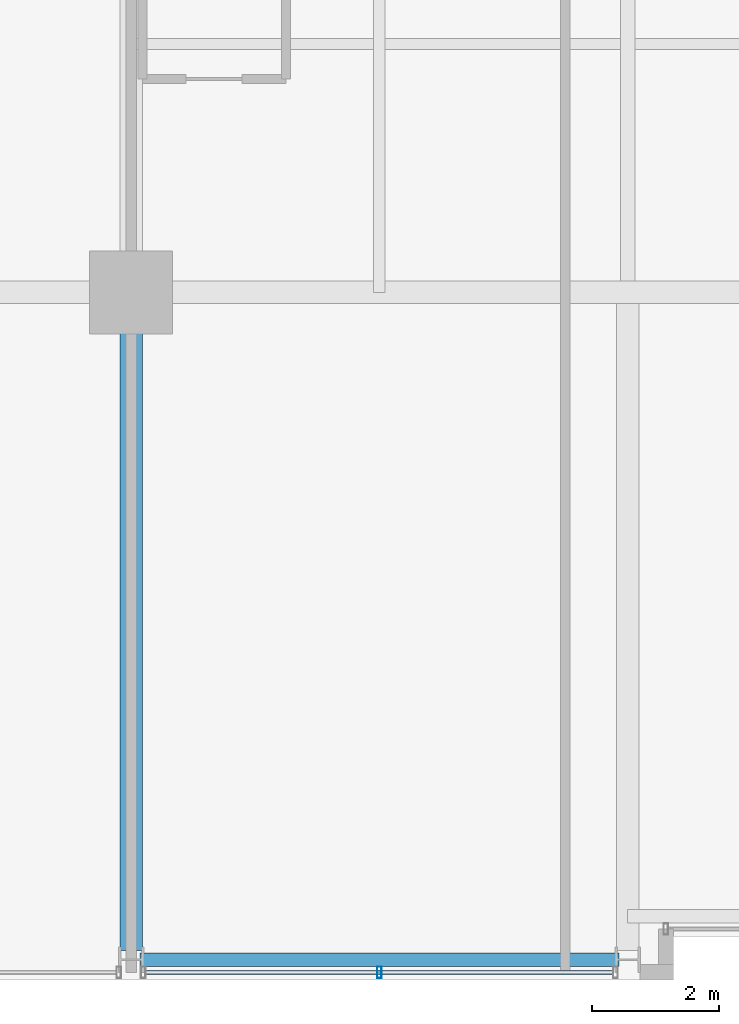
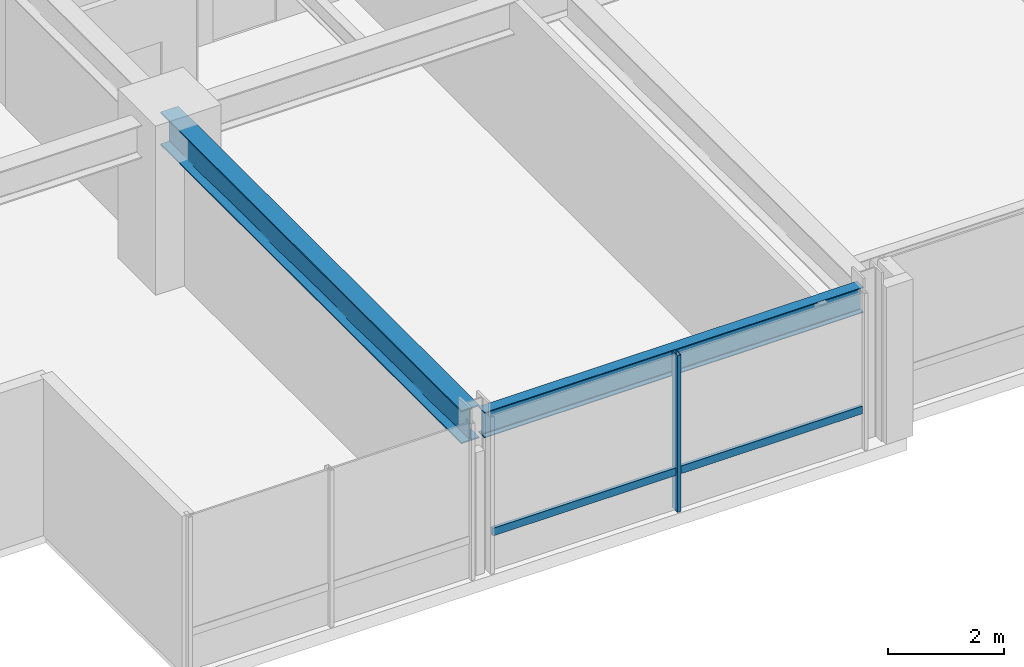
# One storey, part 3 of 32: 2 beams, 2 members, 1 element without a shape of its own.
"""IFC4 building model written with IfcOpenShell, lengths in metres."""

import ifcopenshell
import ifcopenshell.guid

model = None  # the IFC model being written
_history = None  # IfcOwnerHistory: only IFC2X3 demands one
_inside = {}  # id of a spatial element -> (the spatial element, [elements in it])
_under = {}  # id of a project, library or spatial element -> (it, [spatial elements below it])
_declared = {}  # id of a project -> (the project, [libraries it declares])
_typed = {}  # id of a type object -> (the type object, [elements of that type])
_made_of = {}  # id of a material, layer set ... -> (it, [elements and type objects made of it])


def new_model(schema):
    """Start an empty IFC model of exactly this schema.

    Asked for "IFC4X3", IfcOpenShell would pick the latest addendum, in which some entities
    have other attributes; the version numbers below select the first issue.
    IFC2X3 requires an IfcOwnerHistory on every rooted entity: one is made here for all.
    """
    global model, _history
    if schema == "IFC4X3":
        model = ifcopenshell.file(schema_version=(4, 3, 0, 0))
    else:
        model = ifcopenshell.file(schema=schema)
    _inside.clear()
    _under.clear()
    _declared.clear()
    _typed.clear()
    _made_of.clear()
    _history = None
    if model.schema == "IFC2X3":
        org = make("IfcOrganization", Name="unknown")
        user = make(
            "IfcPersonAndOrganization",
            ThePerson=make("IfcPerson", FamilyName="unknown"),
            TheOrganization=org,
        )
        app = make(
            "IfcApplication",
            ApplicationDeveloper=org,
            Version="unknown",
            ApplicationFullName="unknown",
            ApplicationIdentifier="unknown",
        )
        _history = make(
            "IfcOwnerHistory",
            OwningUser=user,
            OwningApplication=app,
            ChangeAction="ADDED",
            CreationDate=0,
        )
    return model


def make(cls, **values):
    """One entity of the class cls with the attributes given. An attribute that is None is left unset."""
    return model.create_entity(
        cls, **{name: value for name, value in values.items() if value is not None}
    )


def rooted(cls, **values):
    """An entity with a GlobalId (a new one), such as an element, a storey or a relation."""
    return make(cls, GlobalId=ifcopenshell.guid.new(), OwnerHistory=_history, **values)


def si_unit(unit_type, name, prefix=None):
    """IfcSIUnit, for example si_unit("LENGTHUNIT", "METRE", prefix="MILLI")."""
    return make("IfcSIUnit", UnitType=unit_type, Prefix=prefix, Name=name)


def assignment(units):
    """IfcUnitAssignment: the units of a project."""
    return None if units is None else make("IfcUnitAssignment", Units=units)


def point(xyz):
    """IfcCartesianPoint."""
    return None if xyz is None else make("IfcCartesianPoint", Coordinates=xyz)


def direction(xyz):
    """IfcDirection."""
    return None if xyz is None else make("IfcDirection", DirectionRatios=xyz)


def frame(location, z_axis=None, x_axis=None):
    """IfcAxis2Placement3D, a coordinate frame: its origin and axes. An axis left out is left unset."""
    return make(
        "IfcAxis2Placement3D",
        Location=point(location),
        Axis=direction(z_axis),
        RefDirection=direction(x_axis),
    )


def frame_2d(location, x_axis=None):
    """IfcAxis2Placement2D, a coordinate frame in the plane: its origin and x axis."""
    return make(
        "IfcAxis2Placement2D", Location=point(location), RefDirection=direction(x_axis)
    )


def origin():
    """The frame at (0, 0, 0) with its axes left unset."""
    return frame((0.0, 0.0, 0.0))


def origin_2d():
    """The frame at (0, 0) in the plane with its x axis left unset."""
    return frame_2d((0.0, 0.0))


def place(relative_to, where):
    """IfcLocalPlacement: puts the frame where relative to a parent placement (None: the world)."""
    return make(
        "IfcLocalPlacement", PlacementRelTo=relative_to, RelativePlacement=where
    )


def context(
    kind, dimensions, precision=None, world=None, true_north=None, identifier=None
):
    """IfcGeometricRepresentationContext, for example the 3D "Model" context."""
    return make(
        "IfcGeometricRepresentationContext",
        ContextIdentifier=identifier,
        ContextType=kind,
        CoordinateSpaceDimension=dimensions,
        Precision=precision,
        WorldCoordinateSystem=world,
        TrueNorth=true_north,
    )


def subcontext(parent, identifier, kind, view, scale=None):
    """IfcGeometricRepresentationSubContext, for example "Body" below "Model"."""
    return make(
        "IfcGeometricRepresentationSubContext",
        ContextIdentifier=identifier,
        ContextType=kind,
        ParentContext=parent,
        TargetScale=scale,
        TargetView=view,
    )


def project(units=None, contexts=None):
    """IfcProject with its units and contexts."""
    return rooted(
        "IfcProject",
        Name="project",
        RepresentationContexts=contexts,
        UnitsInContext=assignment(units),
    )


def spatial(cls, under=None, at=None, **own):
    """A site, building, storey or space (cls), placed at a placement, below another one or the project."""
    s = rooted(cls, ObjectPlacement=at, **own)
    if under is not None:
        _under.setdefault(under.id(), (under, []))[1].append(s)
    return s


def profile(cls, at=None, kind="AREA", **sizes):
    """A parametric profile (cls). Its sizes go by their IFC names, for example OverallWidth=200.0."""
    return make(cls, ProfileType=kind, Position=at, **sizes)


def hollow_rectangle(**sizes):
    """IfcRectangleHollowProfileDef."""
    return profile("IfcRectangleHollowProfileDef", **sizes)


def i_section(**sizes):
    """IfcIShapeProfileDef."""
    return profile("IfcIShapeProfileDef", **sizes)


def extrude(swept, where, along, depth):
    """IfcExtrudedAreaSolid: the profile swept, set in the frame where, extruded along a direction by depth."""
    return make(
        "IfcExtrudedAreaSolid",
        SweptArea=swept,
        Position=where,
        ExtrudedDirection=direction(along),
        Depth=depth,
    )


def shape(context_of_items, identifier, shape_type, items):
    """IfcShapeRepresentation: the items that make up one representation, for example the "Body"."""
    return make(
        "IfcShapeRepresentation",
        ContextOfItems=context_of_items,
        RepresentationIdentifier=identifier,
        RepresentationType=shape_type,
        Items=items,
    )


def material(Name=None, Category=None):
    """IfcMaterial."""
    return make("IfcMaterial", Name=Name, Category=Category)


def layer(
    of_material, thickness, ventilated=None, Name=None, Category=None, Priority=None
):
    """IfcMaterialLayer: one layer of a wall or slab, of a material (None: an air gap)."""
    return make(
        "IfcMaterialLayer",
        Material=of_material,
        LayerThickness=thickness,
        IsVentilated=ventilated,
        Name=Name,
        Category=Category,
        Priority=Priority,
    )


def layer_set(layers, Name=None):
    """IfcMaterialLayerSet."""
    return make("IfcMaterialLayerSet", MaterialLayers=layers, LayerSetName=Name)


def material_profile(
    of_material, cross_section, Name=None, Category=None, Priority=None
):
    """IfcMaterialProfile: a cross section and its material."""
    return make(
        "IfcMaterialProfile",
        Name=Name,
        Material=of_material,
        Profile=cross_section,
        Priority=Priority,
        Category=Category,
    )


def profile_set(profiles, Name=None, composite=None):
    """IfcMaterialProfileSet."""
    return make(
        "IfcMaterialProfileSet",
        Name=Name,
        MaterialProfiles=profiles,
        CompositeProfile=composite,
    )


def made_of(thing, what):
    """Note that an element or type object is made of a material, layer set ...; save() writes the relation."""
    if what is not None:
        _made_of.setdefault(what.id(), (what, []))[1].append(thing)
    return thing


def type_object(cls, material=None, **own):
    """A type object (cls), such as IfcWallType, which elements share."""
    return made_of(rooted(cls, **own), material)


def element(
    cls,
    number,
    at=None,
    inside=None,
    cuts=None,
    type_object=None,
    material=None,
    context=None,
    identifier="Body",
    shape_type=None,
    held_by="IfcProductDefinitionShape",
    body=None,
    shapes=None,
    **own,
):
    """One element of the class cls, such as IfcWall. Its Tag is "e" and its number.

    at: its placement. inside: the storey or other place that contains it. cuts: it is an
    opening in that element (IfcRelVoidsElement). A single representation is given by context,
    identifier, shape_type and body (its items); several are given by shapes. held_by: the class
    of the entity that holds the representations. save() writes the other relations.
    """
    e = rooted(cls, Tag="e%d" % number, ObjectPlacement=at, **own)
    if body is not None:
        shapes = [shape(context, identifier, shape_type, body)]
    if shapes is not None:
        e.Representation = make(held_by, Representations=shapes)
    if inside is not None:
        _inside.setdefault(inside.id(), (inside, []))[1].append(e)
    if cuts is not None:
        rooted(
            "IfcRelVoidsElement", RelatingBuildingElement=cuts, RelatedOpeningElement=e
        )
    if type_object is not None:
        _typed.setdefault(type_object.id(), (type_object, []))[1].append(e)
    return made_of(e, material)


def aggregate(whole, parts):
    """IfcRelAggregates: a whole, such as a stair, and the parts it consists of."""
    return rooted("IfcRelAggregates", RelatingObject=whole, RelatedObjects=parts)


def save(model, path):
    """Write the relations noted so far, then the file.

    IfcRelAggregates (storeys below a building ...), IfcRelContainedInSpatialStructure (elements
    in a storey), IfcRelDefinesByType, IfcRelAssociatesMaterial and IfcRelDeclares: one each for
    every whole, place, type object, material and project.
    """
    for whole, parts in _under.values():
        aggregate(whole, parts)
    for where, things in _inside.values():
        rooted(
            "IfcRelContainedInSpatialStructure",
            RelatedElements=things,
            RelatingStructure=where,
        )
    for kind, things in _typed.values():
        rooted("IfcRelDefinesByType", RelatedObjects=things, RelatingType=kind)
    for what, things in _made_of.values():
        rooted("IfcRelAssociatesMaterial", RelatedObjects=things, RelatingMaterial=what)
    for by, libraries in _declared.values():
        rooted("IfcRelDeclares", RelatingContext=by, RelatedDefinitions=libraries)
    model.write(path)


model = new_model("IFC4")

# Units and contexts
model_context = context("Model", 3, precision=1e-05, world=origin(), true_north=direction((0.0, 1.0)))
body_context = subcontext(model_context, "Body", "Model", "MODEL_VIEW")
ifc_project = project(units=[si_unit("LENGTHUNIT", "METRE"), si_unit("AREAUNIT", "SQUARE_METRE"), si_unit("VOLUMEUNIT", "CUBIC_METRE"), si_unit("PLANEANGLEUNIT", "RADIAN"), si_unit("MASSUNIT", "GRAM", prefix="KILO")], contexts=[model_context])

# Site, building, storey
site_placement = place(None, origin())
site = spatial("IfcSite", under=ifc_project, at=site_placement, CompositionType="ELEMENT")
building_placement = place(site_placement, origin())
building = spatial("IfcBuilding", under=site, at=building_placement, Name="Drelvath Grand Hotel", CompositionType="ELEMENT")
storey_placement = place(building_placement, frame((0.0, 0.0, 182.35009765625)))
storey = spatial("IfcBuildingStorey", under=building, at=storey_placement, Name="L47", CompositionType="ELEMENT", Elevation=182.35009765625)

# Curtain wall, members
ifc_material_1 = material(Name="Brushed Pale-Silver Anodised Aluminium Frame", Category="aluminium")
ifc_layer = layer(ifc_material_1, 0.199951171875)
ifc_layer_set = layer_set([ifc_layer], Name="Brushed Pale-Silver Anodised Aluminium Frame")
curtain_wall_type = type_object("IfcCurtainWallType", Name="Stick Curtain Wall CW-04 Brushed Silver Upper-Mid", PredefinedType="NOTDEFINED", material=ifc_layer_set)
curtain_wall_placement = place(storey_placement, origin())
curtain_wall = element("IfcCurtainWall", 1, at=curtain_wall_placement, inside=storey, type_object=curtain_wall_type, Name="L47 CW-04 Curtain Wall CW04-L47-SW2", PredefinedType="NOTDEFINED")
ifc_material_profile_1 = material_profile(ifc_material_1, hollow_rectangle(XDim=0.06494140625, YDim=0.159912109375, WallThickness=0.00390625, at=origin_2d()), Name="HSS160X65X4")
ifc_profile_set_1 = profile_set([ifc_material_profile_1], Name="Brushed Pale-Silver Anodised Aluminium Frame")
member_type_1 = type_object("IfcMemberType", Name="Curtain Wall Horizontal Transom CW-04 HSS160X65X4", PredefinedType="USERDEFINED", material=ifc_profile_set_1)
member_1_placement = place(storey_placement, frame((-8.631591796875, 0.1201171875, 0.822509765625), z_axis=(-1.0, 0.0, 0.0), x_axis=(0.0, -1.0, 0.0)))
member_1 = element("IfcMember", 2, at=member_1_placement, type_object=member_type_1, Name="CW04-L47-SW2 Sill Transom", ObjectType="TRANSOM", PredefinedType="USERDEFINED", context=body_context, shape_type="SweptSolid", body=[
    extrude(hollow_rectangle(XDim=0.06494140625, YDim=0.159912109375, WallThickness=0.00390625, at=origin_2d()), origin(), (0.0, 0.0, 1.0), 7.3369140625),
])
ifc_material_profile_2 = material_profile(ifc_material_1, hollow_rectangle(XDim=0.074951171875, YDim=0.179931640625, WallThickness=0.0048828125, at=origin_2d()), Name="HSS180X75X5")
ifc_profile_set_2 = profile_set([ifc_material_profile_2], Name="Brushed Pale-Silver Anodised Aluminium Frame")
member_type_2 = type_object("IfcMemberType", Name="Curtain Wall Vertical Mullion CW-04 HSS180X75X5", PredefinedType="MULLION", material=ifc_profile_set_2)
member_2_placement = place(storey_placement, frame((-12.300048828125, 0.1201171875, 0.0), z_axis=(0.0, 0.0, 1.0), x_axis=(1.0, 0.0, 0.0)))
member_2 = element("IfcMember", 3, at=member_2_placement, type_object=member_type_2, Name="CW04-L47-SW2 Mullion 2", PredefinedType="MULLION", context=body_context, shape_type="SweptSolid", body=[
    extrude(hollow_rectangle(XDim=0.074951171875, YDim=0.179931640625, WallThickness=0.0048828125, at=origin_2d()), origin(), (0.0, 0.0, 1.0), 3.289794921875),
])
aggregate(curtain_wall, [member_2, member_1])

# Beams
ifc_material_2 = material(Name="Steel ASTM A992 Gr 50", Category="steel")
ifc_material_profile_3 = material_profile(ifc_material_2, i_section(OverallWidth=0.210205078125, OverallDepth=0.53662109375, WebThickness=0.010986328125, FlangeThickness=0.017333984375, FilletRadius=0.01806640625, at=origin_2d()), Name="W21X68")
ifc_profile_set_3 = profile_set([ifc_material_profile_3], Name="Steel ASTM A992 Gr 50")
beam_type_1 = type_object("IfcBeamType", Name="Perimeter Spandrel Beam W21X68", PredefinedType="SPANDREL", material=ifc_profile_set_3)
beam_1_placement = place(storey_placement, frame((-16.06005859375, 0.320068359375, 3.021484375), z_axis=(1.0, 0.0, 0.0), x_axis=(0.0, 1.0, 0.0)))
element("IfcBeam", 4, at=beam_1_placement, inside=storey, type_object=beam_type_1, Name="L47 Spandrel South W", PredefinedType="SPANDREL", context=body_context, shape_type="SweptSolid", body=[
    extrude(i_section(OverallWidth=0.210205078125, OverallDepth=0.53662109375, WebThickness=0.010986328125, FlangeThickness=0.017333984375, FilletRadius=0.01806640625, at=origin_2d()), origin(), (0.0, 0.0, 1.0), 7.52001953125),
])
ifc_material_profile_4 = material_profile(ifc_material_2, i_section(OverallWidth=0.354736328125, OverallDepth=0.695556640625, WebThickness=0.015380859375, FlangeThickness=0.025146484375, FilletRadius=0.02392578125, at=origin_2d()), Name="W27X146")
ifc_profile_set_4 = profile_set([ifc_material_profile_4], Name="Steel ASTM A992 Gr 50")
beam_type_2 = type_object("IfcBeamType", Name="Primary Floor Girder W27X146", PredefinedType="BEAM", material=ifc_profile_set_4)
beam_2_placement = place(storey_placement, frame((-16.199951171875, 0.4599609375, 2.942138671875), z_axis=(0.0, 1.0, 0.0), x_axis=(-1.0, 0.0, 0.0)))
element("IfcBeam", 5, at=beam_2_placement, inside=storey, type_object=beam_type_2, Name="L47 South Grid Girder 3", PredefinedType="BEAM", context=body_context, shape_type="SweptSolid", body=[
    extrude(i_section(OverallWidth=0.354736328125, OverallDepth=0.695556640625, WebThickness=0.015380859375, FlangeThickness=0.025146484375, FilletRadius=0.02392578125, at=origin_2d()), origin(), (0.0, 0.0, 1.0), 10.340087890625),
])

save(model, "model.ifc")
